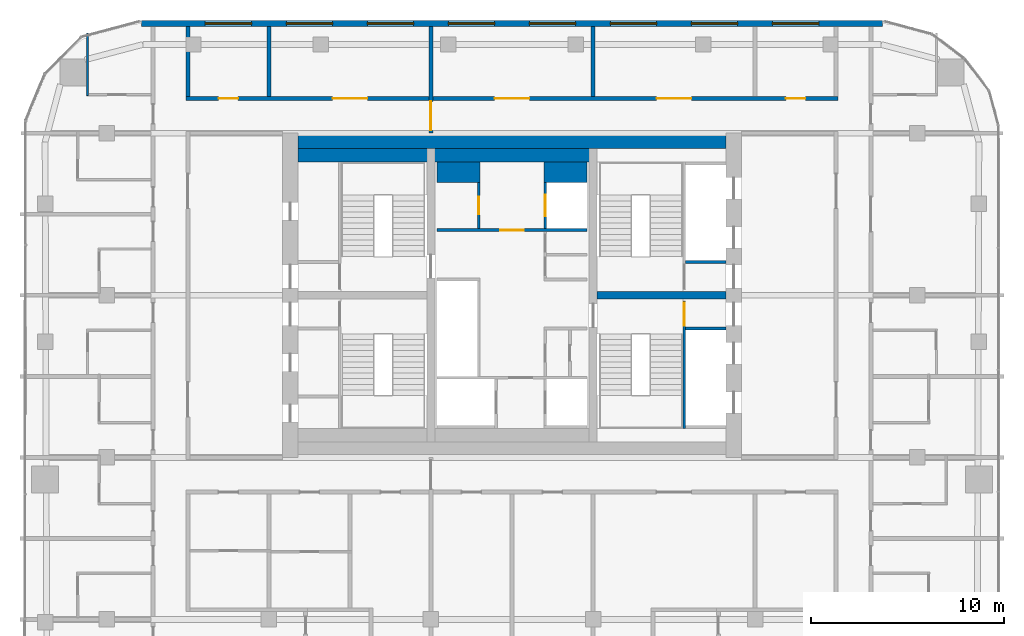
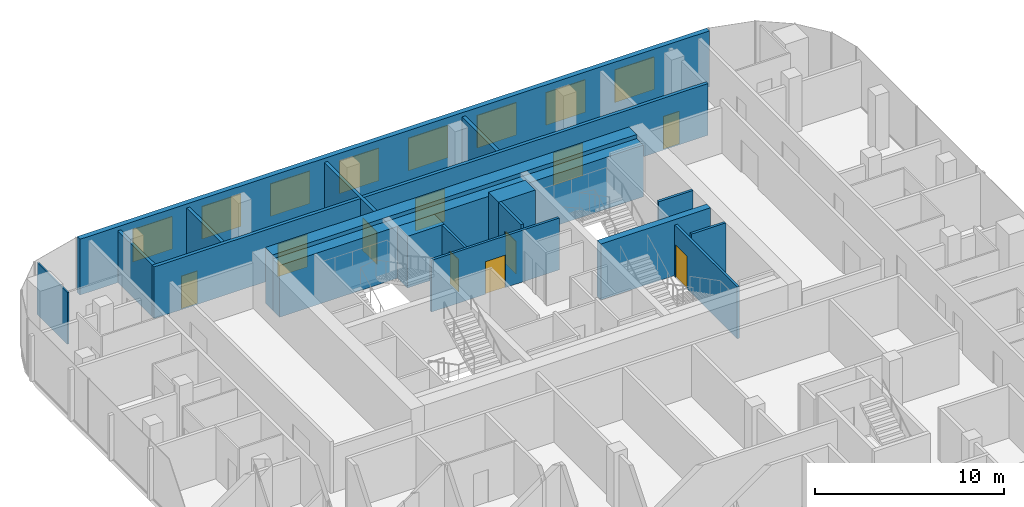
# One storey, part 19 of 22: 18 walls, 10 doors, 8 windows, 18 openings.
"""IFC4 building model written with IfcOpenShell, lengths in metres."""

from ifc_helpers import new_model, si_unit, direction, frame, frame_2d, origin, place, context, subcontext, project, spatial, rectangle, extrude, material, layer, layer_set, type_object, element, fill, save


model = new_model("IFC4")

# Units and contexts
model_context = context("Model", 3, precision=1e-05, world=origin(), true_north=direction((0.0, 1.0)))
body_context = subcontext(model_context, "Body", "Model", "MODEL_VIEW")
ifc_project = project(units=[si_unit("LENGTHUNIT", "METRE"), si_unit("AREAUNIT", "SQUARE_METRE"), si_unit("VOLUMEUNIT", "CUBIC_METRE"), si_unit("PLANEANGLEUNIT", "RADIAN"), si_unit("MASSUNIT", "GRAM", prefix="KILO")], contexts=[model_context])

# Site, building, storey
site_placement = place(None, origin())
site = spatial("IfcSite", under=ifc_project, at=site_placement, CompositionType="ELEMENT")
building_placement = place(site_placement, origin())
building = spatial("IfcBuilding", under=site, at=building_placement, Name="Marenta Gate Hotel Tower", CompositionType="ELEMENT")
storey_placement = place(building_placement, frame((0.0, 0.0, 194.89990234375)))
storey = spatial("IfcBuildingStorey", under=building, at=storey_placement, Name="L44", CompositionType="ELEMENT", Elevation=194.89990234375)

# Wall, openings, windows
ifc_material_1 = material(Name="Concrete C40 board-marked", Category="concrete")
ifc_layer_1 = layer(ifc_material_1, 0.300048828125)
ifc_layer_set_1 = layer_set([ifc_layer_1], Name="Concrete C40 board-marked")
wall_type_1 = type_object("IfcWallType", Name="Board-marked concrete wall 300 mm", PredefinedType="NOTDEFINED", material=ifc_layer_set_1)
wall_1_placement = place(storey_placement, frame((19.205810546875, 22.489990234375, 0.0), z_axis=(0.0, 0.0, 1.0), x_axis=(-1.0, 0.0, 0.0)))
wall_1 = element("IfcWall", 1, at=wall_1_placement, inside=storey, type_object=wall_type_1, Name="L44-CLD-N00", PredefinedType="NOTDEFINED", context=body_context, shape_type="SweptSolid", body=[
    extrude(rectangle(XDim=38.41162109375, YDim=0.300048828125, at=frame_2d((19.205810546875, 0.0))), origin(), (0.0, 0.0, 1.0), 3.60009765625),
])
opening_1_placement = place(wall_1_placement, frame((3.305908203125, 0.0, 0.89990234375)))
opening_1 = element("IfcOpeningElement", 2, at=opening_1_placement, cuts=wall_1, Name="Opening W1", PredefinedType="OPENING", context=body_context, shape_type="SweptSolid", body=[
    extrude(rectangle(XDim=2.39990234375, YDim=2.10009765625, at=frame_2d((1.199951171875, 1.050048828125))), frame((0.0, 0.14990234375, 0.0), z_axis=(0.0, -1.0, 0.0), x_axis=(1.0, 0.0, 0.0)), (0.0, 0.0, 1.0), 0.300048828125),
])
opening_2_placement = place(wall_1_placement, frame((7.505859375, 0.0, 0.89990234375)))
opening_2 = element("IfcOpeningElement", 3, at=opening_2_placement, cuts=wall_1, Name="Opening W1", PredefinedType="OPENING", context=body_context, shape_type="SweptSolid", body=[
    extrude(rectangle(XDim=2.39990234375, YDim=2.10009765625, at=frame_2d((1.199951171875, 1.050048828125))), frame((0.0, 0.14990234375, 0.0), z_axis=(0.0, -1.0, 0.0), x_axis=(1.0, 0.0, 0.0)), (0.0, 0.0, 1.0), 0.300048828125),
])
opening_3_placement = place(wall_1_placement, frame((11.705810546875, 0.0, 0.89990234375)))
opening_3 = element("IfcOpeningElement", 4, at=opening_3_placement, cuts=wall_1, Name="Opening W1", PredefinedType="OPENING", context=body_context, shape_type="SweptSolid", body=[
    extrude(rectangle(XDim=2.39990234375, YDim=2.10009765625, at=frame_2d((1.199951171875, 1.050048828125))), frame((0.0, 0.14990234375, 0.0), z_axis=(0.0, -1.0, 0.0), x_axis=(1.0, 0.0, 0.0)), (0.0, 0.0, 1.0), 0.300048828125),
])
opening_4_placement = place(wall_1_placement, frame((15.906005859375, 0.0, 0.89990234375)))
opening_4 = element("IfcOpeningElement", 5, at=opening_4_placement, cuts=wall_1, Name="Opening W1", PredefinedType="OPENING", context=body_context, shape_type="SweptSolid", body=[
    extrude(rectangle(XDim=2.39990234375, YDim=2.10009765625, at=frame_2d((1.199951171875, 1.050048828125))), frame((0.0, 0.14990234375, 0.0), z_axis=(0.0, -1.0, 0.0), x_axis=(1.0, 0.0, 0.0)), (0.0, 0.0, 1.0), 0.300048828125),
])
opening_5_placement = place(wall_1_placement, frame((20.10595703125, 0.0, 0.89990234375)))
opening_5 = element("IfcOpeningElement", 6, at=opening_5_placement, cuts=wall_1, Name="Opening W1", PredefinedType="OPENING", context=body_context, shape_type="SweptSolid", body=[
    extrude(rectangle(XDim=2.39990234375, YDim=2.10009765625, at=frame_2d((1.199951171875, 1.050048828125))), frame((0.0, 0.14990234375, 0.0), z_axis=(0.0, -1.0, 0.0), x_axis=(1.0, 0.0, 0.0)), (0.0, 0.0, 1.0), 0.300048828125),
])
opening_6_placement = place(wall_1_placement, frame((24.305908203125, 0.0, 0.89990234375)))
opening_6 = element("IfcOpeningElement", 7, at=opening_6_placement, cuts=wall_1, Name="Opening W1", PredefinedType="OPENING", context=body_context, shape_type="SweptSolid", body=[
    extrude(rectangle(XDim=2.39990234375, YDim=2.10009765625, at=frame_2d((1.199951171875, 1.050048828125))), frame((0.0, 0.14990234375, 0.0), z_axis=(0.0, -1.0, 0.0), x_axis=(1.0, 0.0, 0.0)), (0.0, 0.0, 1.0), 0.300048828125),
])
opening_7_placement = place(wall_1_placement, frame((28.505859375, 0.0, 0.89990234375)))
opening_7 = element("IfcOpeningElement", 8, at=opening_7_placement, cuts=wall_1, Name="Opening W1", PredefinedType="OPENING", context=body_context, shape_type="SweptSolid", body=[
    extrude(rectangle(XDim=2.39990234375, YDim=2.10009765625, at=frame_2d((1.199951171875, 1.050048828125))), frame((0.0, 0.14990234375, 0.0), z_axis=(0.0, -1.0, 0.0), x_axis=(1.0, 0.0, 0.0)), (0.0, 0.0, 1.0), 0.300048828125),
])
opening_8_placement = place(wall_1_placement, frame((32.705810546875, 0.0, 0.89990234375)))
opening_8 = element("IfcOpeningElement", 9, at=opening_8_placement, cuts=wall_1, Name="Opening W1", PredefinedType="OPENING", context=body_context, shape_type="SweptSolid", body=[
    extrude(rectangle(XDim=2.39990234375, YDim=2.10009765625, at=frame_2d((1.199951171875, 1.050048828125))), frame((0.0, 0.14990234375, 0.0), z_axis=(0.0, -1.0, 0.0), x_axis=(1.0, 0.0, 0.0)), (0.0, 0.0, 1.0), 0.300048828125),
])
ifc_material_2 = material(Name="Tinted insulated glass in bronze anodised frame", Category="glass")
window_type = type_object("IfcWindowType", Name="Window W1 2400x2100 bronze frame", PartitioningType="SINGLE_PANEL", PredefinedType="WINDOW", material=ifc_material_2)
window_1_placement = place(opening_1_placement, origin())
window_1 = element("IfcWindow", 10, at=window_1_placement, inside=storey, type_object=window_type, Name="Window W1", OverallHeight=2.10009765625, OverallWidth=2.39990234375, PartitioningType="SINGLE_PANEL", PredefinedType="WINDOW", context=body_context, shape_type="SweptSolid", body=[
    extrude(rectangle(XDim=2.39990234375, YDim=2.10009765625, at=frame_2d((1.199951171875, 1.050048828125))), frame((0.0, 0.030029296875, 0.0), z_axis=(0.0, -1.0, 0.0), x_axis=(1.0, 0.0, 0.0)), (0.0, 0.0, 1.0), 0.06005859375),
])
fill(opening_1, window_1)
window_2_placement = place(opening_2_placement, origin())
window_2 = element("IfcWindow", 11, at=window_2_placement, inside=storey, type_object=window_type, Name="Window W1", OverallHeight=2.10009765625, OverallWidth=2.39990234375, PartitioningType="SINGLE_PANEL", PredefinedType="WINDOW", context=body_context, shape_type="SweptSolid", body=[
    extrude(rectangle(XDim=2.39990234375, YDim=2.10009765625, at=frame_2d((1.199951171875, 1.050048828125))), frame((0.0, 0.030029296875, 0.0), z_axis=(0.0, -1.0, 0.0), x_axis=(1.0, 0.0, 0.0)), (0.0, 0.0, 1.0), 0.06005859375),
])
fill(opening_2, window_2)
window_3_placement = place(opening_3_placement, origin())
window_3 = element("IfcWindow", 12, at=window_3_placement, inside=storey, type_object=window_type, Name="Window W1", OverallHeight=2.10009765625, OverallWidth=2.39990234375, PartitioningType="SINGLE_PANEL", PredefinedType="WINDOW", context=body_context, shape_type="SweptSolid", body=[
    extrude(rectangle(XDim=2.39990234375, YDim=2.10009765625, at=frame_2d((1.199951171875, 1.050048828125))), frame((0.0, 0.030029296875, 0.0), z_axis=(0.0, -1.0, 0.0), x_axis=(1.0, 0.0, 0.0)), (0.0, 0.0, 1.0), 0.06005859375),
])
fill(opening_3, window_3)
window_4_placement = place(opening_4_placement, origin())
window_4 = element("IfcWindow", 13, at=window_4_placement, inside=storey, type_object=window_type, Name="Window W1", OverallHeight=2.10009765625, OverallWidth=2.39990234375, PartitioningType="SINGLE_PANEL", PredefinedType="WINDOW", context=body_context, shape_type="SweptSolid", body=[
    extrude(rectangle(XDim=2.39990234375, YDim=2.10009765625, at=frame_2d((1.199951171875, 1.050048828125))), frame((0.0, 0.030029296875, 0.0), z_axis=(0.0, -1.0, 0.0), x_axis=(1.0, 0.0, 0.0)), (0.0, 0.0, 1.0), 0.06005859375),
])
fill(opening_4, window_4)
window_5_placement = place(opening_5_placement, origin())
window_5 = element("IfcWindow", 14, at=window_5_placement, inside=storey, type_object=window_type, Name="Window W1", OverallHeight=2.10009765625, OverallWidth=2.39990234375, PartitioningType="SINGLE_PANEL", PredefinedType="WINDOW", context=body_context, shape_type="SweptSolid", body=[
    extrude(rectangle(XDim=2.39990234375, YDim=2.10009765625, at=frame_2d((1.199951171875, 1.050048828125))), frame((0.0, 0.030029296875, 0.0), z_axis=(0.0, -1.0, 0.0), x_axis=(1.0, 0.0, 0.0)), (0.0, 0.0, 1.0), 0.06005859375),
])
fill(opening_5, window_5)
window_6_placement = place(opening_6_placement, origin())
window_6 = element("IfcWindow", 15, at=window_6_placement, inside=storey, type_object=window_type, Name="Window W1", OverallHeight=2.10009765625, OverallWidth=2.39990234375, PartitioningType="SINGLE_PANEL", PredefinedType="WINDOW", context=body_context, shape_type="SweptSolid", body=[
    extrude(rectangle(XDim=2.39990234375, YDim=2.10009765625, at=frame_2d((1.199951171875, 1.050048828125))), frame((0.0, 0.030029296875, 0.0), z_axis=(0.0, -1.0, 0.0), x_axis=(1.0, 0.0, 0.0)), (0.0, 0.0, 1.0), 0.06005859375),
])
fill(opening_6, window_6)
window_7_placement = place(opening_7_placement, origin())
window_7 = element("IfcWindow", 16, at=window_7_placement, inside=storey, type_object=window_type, Name="Window W1", OverallHeight=2.10009765625, OverallWidth=2.39990234375, PartitioningType="SINGLE_PANEL", PredefinedType="WINDOW", context=body_context, shape_type="SweptSolid", body=[
    extrude(rectangle(XDim=2.39990234375, YDim=2.10009765625, at=frame_2d((1.199951171875, 1.050048828125))), frame((0.0, 0.030029296875, 0.0), z_axis=(0.0, -1.0, 0.0), x_axis=(1.0, 0.0, 0.0)), (0.0, 0.0, 1.0), 0.06005859375),
])
fill(opening_7, window_7)
window_8_placement = place(opening_8_placement, origin())
window_8 = element("IfcWindow", 17, at=window_8_placement, inside=storey, type_object=window_type, Name="Window W1", OverallHeight=2.10009765625, OverallWidth=2.39990234375, PartitioningType="SINGLE_PANEL", PredefinedType="WINDOW", context=body_context, shape_type="SweptSolid", body=[
    extrude(rectangle(XDim=2.39990234375, YDim=2.10009765625, at=frame_2d((1.199951171875, 1.050048828125))), frame((0.0, 0.030029296875, 0.0), z_axis=(0.0, -1.0, 0.0), x_axis=(1.0, 0.0, 0.0)), (0.0, 0.0, 1.0), 0.06005859375),
])
fill(opening_8, window_8)

# Wall, opening, door
ifc_material_3 = material(Name="Concrete blockwork", Category="masonry")
ifc_layer_2 = layer(ifc_material_3, 0.199951171875)
ifc_layer_set_2 = layer_set([ifc_layer_2], Name="Concrete blockwork")
wall_type_2 = type_object("IfcWallType", Name="Compartment wall 200 REI 180", PredefinedType="PARTITIONING", material=ifc_layer_set_2)
wall_2_placement = place(storey_placement, frame((-4.199951171875, 16.800048828125, 0.0), z_axis=(0.0, 0.0, 1.0), x_axis=(0.0, 1.0, 0.0)))
wall_2 = element("IfcWall", 18, at=wall_2_placement, inside=storey, type_object=wall_type_2, Name="L44-PTN-W082", PredefinedType="PARTITIONING", context=body_context, shape_type="SweptSolid", body=[
    extrude(rectangle(XDim=5.5400390625, YDim=0.199951171875, at=frame_2d((2.77001953125, 0.0))), origin(), (0.0, 0.0, 1.0), 3.340087890625),
])
opening_9_placement = place(wall_2_placement, frame((0.14990234375, 0.0, 0.0)))
opening_9 = element("IfcOpeningElement", 19, at=opening_9_placement, cuts=wall_2, Name="Opening G15-FD1", PredefinedType="OPENING", context=body_context, shape_type="SweptSolid", body=[
    extrude(rectangle(XDim=1.5, YDim=2.10009765625, at=frame_2d((0.75, 1.050048828125))), frame((0.0, 0.10009765625, 0.0), z_axis=(0.0, -1.0, 0.0), x_axis=(1.0, 0.0, 0.0)), (0.0, 0.0, 1.0), 0.199951171875),
])
ifc_material_4 = material(Name="Hollow steel door set", Category="steel")
door_type_1 = type_object("IfcDoorType", Name="Compartment fire door 1500x2100 EI 60", OperationType="DOUBLE_DOOR_DOUBLE_SWING", PredefinedType="DOOR", material=ifc_material_4)
door_1_placement = place(opening_9_placement, origin())
door_1 = element("IfcDoor", 20, at=door_1_placement, inside=storey, type_object=door_type_1, Name="L44-PD-FD01", OperationType="DOUBLE_DOOR_DOUBLE_SWING", OverallHeight=2.10009765625, OverallWidth=1.5, PredefinedType="DOOR", context=body_context, shape_type="SweptSolid", body=[
    extrude(rectangle(XDim=1.5, YDim=2.10009765625, at=frame_2d((0.75, 1.050048828125))), frame((0.0, 0.02490234375, 0.0), z_axis=(0.0, -1.0, 0.0), x_axis=(1.0, 0.0, 0.0)), (0.0, 0.0, 1.0), 0.050048828125),
])
fill(opening_9, door_1)

# Wall
ifc_material_5 = material(Name="Concrete C40", Category="concrete")
ifc_layer_3 = layer(ifc_material_5, 0.699951171875)
ifc_layer_set_3 = layer_set([ifc_layer_3], Name="Concrete C40")
wall_type_3 = type_object("IfcWallType", Name="Core lining wall 700 REI 180", PredefinedType="PARTITIONING", material=ifc_layer_set_3)
wall_3_placement = place(storey_placement, frame((-11.10009765625, 15.64990234375, 0.0), z_axis=(0.0, 0.0, 1.0), x_axis=(1.0, 0.0, 0.0)))
element("IfcWall", 21, at=wall_3_placement, inside=storey, type_object=wall_type_3, Name="L44-CP-LN-N", PredefinedType="PARTITIONING", context=body_context, shape_type="SweptSolid", body=[
    extrude(rectangle(XDim=22.2001953125, YDim=0.699951171875, at=frame_2d((11.10009765625, 0.0))), origin(), (0.0, 0.0, 1.0), 3.340087890625),
])

# Wall, opening, door
ifc_material_6 = material(Name="Concrete blockwork", Category="masonry")
ifc_layer_4 = layer(ifc_material_6, 0.14990234375)
ifc_layer_set_4 = layer_set([ifc_layer_4], Name="Concrete blockwork")
wall_type_4 = type_object("IfcWallType", Name="Core lobby partition 150 REI 180", PredefinedType="PARTITIONING", material=ifc_layer_set_4)
wall_4_placement = place(storey_placement, frame((-3.89990234375, 11.77490234375, 0.0), z_axis=(0.0, 0.0, 1.0), x_axis=(1.0, 0.0, 0.0)))
wall_4 = element("IfcWall", 22, at=wall_4_placement, inside=storey, type_object=wall_type_4, Name="L44-CP-CW-N", PredefinedType="PARTITIONING", context=body_context, shape_type="SweptSolid", body=[
    extrude(rectangle(XDim=7.7998046875, YDim=0.14990234375, at=frame_2d((3.89990234375, 0.0))), origin(), (0.0, 0.0, 1.0), 3.340087890625),
])
opening_10_placement = place(wall_4_placement, frame((3.300048828125, 0.0, 0.0)))
opening_10 = element("IfcOpeningElement", 23, at=opening_10_placement, cuts=wall_4, Name="Opening FD-FFN", PredefinedType="OPENING", context=body_context, shape_type="SweptSolid", body=[
    extrude(rectangle(XDim=1.199951171875, YDim=2.10009765625, at=frame_2d((0.60009765625, 1.050048828125))), frame((0.0, 0.074951171875, 0.0), z_axis=(0.0, -1.0, 0.0), x_axis=(1.0, 0.0, 0.0)), (0.0, 0.0, 1.0), 0.14990234375),
])
ifc_material_7 = material(Name="Steel", Category="steel")
door_type_2 = type_object("IfcDoorType", Name="Core lobby door 1200x2100 FD60", OperationType="SINGLE_SWING_LEFT", PredefinedType="DOOR", material=ifc_material_7)
door_2_placement = place(opening_10_placement, origin())
door_2 = element("IfcDoor", 24, at=door_2_placement, inside=storey, type_object=door_type_2, Name="FD-FFN", OperationType="SINGLE_SWING_LEFT", OverallHeight=2.10009765625, OverallWidth=1.199951171875, PredefinedType="DOOR", context=body_context, shape_type="SweptSolid", body=[
    extrude(rectangle(XDim=1.199951171875, YDim=2.10009765625, at=frame_2d((0.60009765625, 1.050048828125))), frame((0.0, 0.02490234375, 0.0), z_axis=(0.0, -1.0, 0.0), x_axis=(1.0, 0.0, 0.0)), (0.0, 0.0, 1.0), 0.050048828125),
])
fill(opening_10, door_2)

# Wall
ifc_material_8 = material(Name="Concrete blockwork", Category="masonry")
ifc_layer_5 = layer(ifc_material_8, 1.050048828125)
ifc_layer_set_5 = layer_set([ifc_layer_5], Name="Concrete blockwork")
wall_type_5 = type_object("IfcWallType", Name="Core room partition 1050 REI 180", PredefinedType="PARTITIONING", material=ifc_layer_set_5)
wall_5_placement = place(storey_placement, frame((-3.89990234375, 14.77490234375, 0.0), z_axis=(0.0, 0.0, 1.0), x_axis=(1.0, 0.0, 0.0)))
element("IfcWall", 25, at=wall_5_placement, inside=storey, type_object=wall_type_5, Name="L44-CP-CW-W-riser-N", PredefinedType="PARTITIONING", context=body_context, shape_type="SweptSolid", body=[
    extrude(rectangle(XDim=2.25, YDim=1.050048828125, at=frame_2d((1.125, 0.0))), origin(), (0.0, 0.0, 1.0), 3.340087890625),
])

# Wall, opening, door
ifc_material_9 = material(Name="Concrete blockwork", Category="masonry")
ifc_layer_6 = layer(ifc_material_9, 0.14990234375)
ifc_layer_set_6 = layer_set([ifc_layer_6], Name="Concrete blockwork")
wall_type_6 = type_object("IfcWallType", Name="Core room partition 150 REI 180", PredefinedType="PARTITIONING", material=ifc_layer_set_6)
wall_6_placement = place(storey_placement, frame((-1.72509765625, 11.85009765625, 0.0), z_axis=(0.0, 0.0, 1.0), x_axis=(0.0, 1.0, 0.0)))
wall_6 = element("IfcWall", 26, at=wall_6_placement, inside=storey, type_object=wall_type_6, Name="L44-CP-CW-W-riser-front", PredefinedType="PARTITIONING", context=body_context, shape_type="SweptSolid", body=[
    extrude(rectangle(XDim=2.39990234375, YDim=0.14990234375, at=frame_2d((1.199951171875, 0.0))), origin(), (0.0, 0.0, 1.0), 3.340087890625),
])
opening_11_placement = place(wall_6_placement, frame((0.75, 0.0, 0.0)))
opening_11 = element("IfcOpeningElement", 27, at=opening_11_placement, cuts=wall_6, Name="Opening RD-CRISER", PredefinedType="OPENING", context=body_context, shape_type="SweptSolid", body=[
    extrude(rectangle(XDim=0.89990234375, YDim=2.10009765625, at=frame_2d((0.449951171875, 1.050048828125))), frame((0.0, 0.074951171875, 0.0), z_axis=(0.0, -1.0, 0.0), x_axis=(1.0, 0.0, 0.0)), (0.0, 0.0, 1.0), 0.14990234375),
])
ifc_material_10 = material(Name="Steel", Category="steel")
door_type_3 = type_object("IfcDoorType", Name="Core riser door 900x2100 FD60", OperationType="SINGLE_SWING_LEFT", PredefinedType="DOOR", material=ifc_material_10)
door_3_placement = place(opening_11_placement, origin())
door_3 = element("IfcDoor", 28, at=door_3_placement, inside=storey, type_object=door_type_3, Name="RD-CRISER", OperationType="SINGLE_SWING_LEFT", OverallHeight=2.10009765625, OverallWidth=0.89990234375, PredefinedType="DOOR", context=body_context, shape_type="SweptSolid", body=[
    extrude(rectangle(XDim=0.89990234375, YDim=2.10009765625, at=frame_2d((0.449951171875, 1.050048828125))), frame((0.0, 0.02490234375, 0.0), z_axis=(0.0, -1.0, 0.0), x_axis=(1.0, 0.0, 0.0)), (0.0, 0.0, 1.0), 0.050048828125),
])
fill(opening_11, door_3)

# Walls
ifc_material_11 = material(Name="Concrete C40", Category="concrete")
ifc_layer_7 = layer(ifc_material_11, 1.050048828125)
ifc_layer_set_7 = layer_set([ifc_layer_7], Name="Concrete C40")
wall_type_7 = type_object("IfcWallType", Name="Core shaft wall 1050 REI 180", PredefinedType="SHEAR", material=ifc_layer_set_7)
wall_7_placement = place(storey_placement, frame((1.64990234375, 14.77490234375, 0.0), z_axis=(0.0, 0.0, 1.0), x_axis=(1.0, 0.0, 0.0)))
element("IfcWall", 29, at=wall_7_placement, inside=storey, type_object=wall_type_7, Name="L44-SHF-CE-N-top", PredefinedType="SHEAR", context=body_context, shape_type="SweptSolid", body=[
    extrude(rectangle(XDim=2.25, YDim=1.050048828125, at=frame_2d((1.125, 0.0))), origin(), (0.0, 0.0, 1.0), 3.60009765625),
])
ifc_material_12 = material(Name="Concrete C40", Category="concrete")
ifc_layer_8 = layer(ifc_material_12, 0.14990234375)
ifc_layer_set_8 = layer_set([ifc_layer_8], Name="Concrete C40")
wall_type_8 = type_object("IfcWallType", Name="Core shaft wall 150 REI 180", PredefinedType="SHEAR", material=ifc_layer_set_8)
for number, where, z_axis, x_axis, name in (
    (30, (9.0, 6.675048828125, 0.0), (0.0, 0.0, 1.0), (1.0, 0.0, 0.0), "L44-SHF-SW-ES-2"),
    (31, (9.0, 10.125, 0.0), (0.0, 0.0, 1.0), (1.0, 0.0, 0.0), "L44-SHF-SW-EN-2"),
):
    element("IfcWall", number, at=place(storey_placement, frame(where, z_axis=z_axis, x_axis=x_axis)), inside=storey, type_object=wall_type_8, Name=name, PredefinedType="SHEAR", context=body_context, shape_type="SweptSolid", body=[
        extrude(rectangle(XDim=2.10009765625, YDim=0.14990234375, at=frame_2d((1.050048828125, 0.0))), origin(), (0.0, 0.0, 1.0), 3.60009765625),
    ])

# Wall, opening, door
wall_8_placement = place(storey_placement, frame((1.72509765625, 11.85009765625, 0.0), z_axis=(0.0, 0.0, 1.0), x_axis=(0.0, 1.0, 0.0)))
wall_8 = element("IfcWall", 32, at=wall_8_placement, inside=storey, type_object=wall_type_8, Name="L44-SHF-CE-N-front2", PredefinedType="SHEAR", context=body_context, shape_type="SweptSolid", body=[
    extrude(rectangle(XDim=2.39990234375, YDim=0.14990234375, at=frame_2d((1.199951171875, 0.0))), origin(), (0.0, 0.0, 1.0), 3.60009765625),
])
opening_12_placement = place(wall_8_placement, frame((0.64990234375, 0.0, 0.0)))
opening_12 = element("IfcOpeningElement", 33, at=opening_12_placement, cuts=wall_8, Name="Opening LD-FF2", PredefinedType="OPENING", context=body_context, shape_type="SweptSolid", body=[
    extrude(rectangle(XDim=1.10009765625, YDim=2.10009765625, at=frame_2d((0.550048828125, 1.050048828125))), frame((0.0, 0.074951171875, 0.0), z_axis=(0.0, -1.0, 0.0), x_axis=(1.0, 0.0, 0.0)), (0.0, 0.0, 1.0), 0.14990234375),
])
ifc_material_13 = material(Name="Steel", Category="steel")
door_type_4 = type_object("IfcDoorType", Name="Core lift landing door 1100x2100 E 60", OperationType="SLIDING_TO_LEFT", PredefinedType="DOOR", material=ifc_material_13)
door_4_placement = place(opening_12_placement, origin())
door_4 = element("IfcDoor", 34, at=door_4_placement, inside=storey, type_object=door_type_4, Name="LD-FF2", OperationType="SLIDING_TO_LEFT", OverallHeight=2.10009765625, OverallWidth=1.10009765625, PredefinedType="DOOR", context=body_context, shape_type="SweptSolid", body=[
    extrude(rectangle(XDim=1.10009765625, YDim=2.10009765625, at=frame_2d((0.550048828125, 1.050048828125))), frame((0.0, 0.02490234375, 0.0), z_axis=(0.0, -1.0, 0.0), x_axis=(1.0, 0.0, 0.0)), (0.0, 0.0, 1.0), 0.050048828125),
])
fill(opening_12, door_4)

ifc_material_14 = material(Name="Concrete C40", Category="concrete")
ifc_layer_9 = layer(ifc_material_14, 0.14990234375)
ifc_layer_set_9 = layer_set([ifc_layer_9], Name="Concrete C40")
wall_type_9 = type_object("IfcWallType", Name="Core stair enclosure wall 150 REI 180", PredefinedType="SHEAR", material=ifc_layer_set_9)
wall_9_placement = place(storey_placement, frame((8.925048828125, 1.5, 0.0), z_axis=(0.0, 0.0, 1.0), x_axis=(0.0, 1.0, 0.0)))
wall_9 = element("IfcWall", 35, at=wall_9_placement, inside=storey, type_object=wall_type_9, Name="L44-SHF-SW-ES-3", PredefinedType="SHEAR", context=body_context, shape_type="SweptSolid", body=[
    extrude(rectangle(XDim=6.60009765625, YDim=0.14990234375, at=frame_2d((3.300048828125, 0.0))), origin(), (0.0, 0.0, 1.0), 3.340087890625),
])
opening_13_placement = place(wall_9_placement, frame((5.324951171875, 0.0, 0.0)))
opening_13 = element("IfcOpeningElement", 36, at=opening_13_placement, cuts=wall_9, Name="Opening SD-ES", PredefinedType="OPENING", context=body_context, shape_type="SweptSolid", body=[
    extrude(rectangle(XDim=1.199951171875, YDim=2.10009765625, at=frame_2d((0.60009765625, 1.050048828125))), frame((0.0, 0.074951171875, 0.0), z_axis=(0.0, -1.0, 0.0), x_axis=(1.0, 0.0, 0.0)), (0.0, 0.0, 1.0), 0.14990234375),
])
ifc_material_15 = material(Name="Steel", Category="steel")
door_type_5 = type_object("IfcDoorType", Name="Core stair door 1200x2100 FD60", OperationType="SINGLE_SWING_LEFT", PredefinedType="DOOR", material=ifc_material_15)
door_5_placement = place(opening_13_placement, origin())
door_5 = element("IfcDoor", 37, at=door_5_placement, inside=storey, type_object=door_type_5, Name="SD-ES", OperationType="SINGLE_SWING_LEFT", OverallHeight=2.10009765625, OverallWidth=1.199951171875, PredefinedType="DOOR", context=body_context, shape_type="SweptSolid", body=[
    extrude(rectangle(XDim=1.199951171875, YDim=2.10009765625, at=frame_2d((0.60009765625, 1.050048828125))), frame((0.0, 0.02490234375, 0.0), z_axis=(0.0, -1.0, 0.0), x_axis=(1.0, 0.0, 0.0)), (0.0, 0.0, 1.0), 0.050048828125),
])
fill(opening_13, door_5)

# Walls
ifc_material_16 = material(Name="Concrete C60", Category="concrete")
ifc_layer_10 = layer(ifc_material_16, 0.800048828125)
ifc_layer_set_10 = layer_set([ifc_layer_10], Name="Concrete C60")
wall_type_10 = type_object("IfcWallType", Name="Core wall 800 C60", PredefinedType="SHEAR", material=ifc_layer_set_10)
wall_10_placement = place(storey_placement, frame((-11.10009765625, 16.39990234375, 0.0), z_axis=(0.0, 0.0, 1.0), x_axis=(1.0, 0.0, 0.0)))
element("IfcWall", 38, at=wall_10_placement, inside=storey, type_object=wall_type_10, Name="L44-CORE-N", PredefinedType="SHEAR", context=body_context, shape_type="SweptSolid", body=[
    extrude(rectangle(XDim=22.2001953125, YDim=0.800048828125, at=frame_2d((11.10009765625, 0.0))), origin(), (0.0, 0.0, 1.0), 3.60009765625),
])
ifc_material_17 = material(Name="Concrete C60", Category="concrete")
ifc_layer_11 = layer(ifc_material_17, 0.39990234375)
ifc_layer_set_11 = layer_set([ifc_layer_11], Name="Concrete C60")
wall_type_11 = type_object("IfcWallType", Name="Core web 400 C60", PredefinedType="SHEAR", material=ifc_layer_set_11)
wall_11_placement = place(storey_placement, frame((4.39990234375, 8.39990234375, 0.0), z_axis=(0.0, 0.0, 1.0), x_axis=(1.0, 0.0, 0.0)))
element("IfcWall", 39, at=wall_11_placement, inside=storey, type_object=wall_type_11, Name="L44-CORE-W4", PredefinedType="SHEAR", context=body_context, shape_type="SweptSolid", body=[
    extrude(rectangle(XDim=6.7001953125, YDim=0.39990234375, at=frame_2d((3.35009765625, 0.0))), origin(), (0.0, 0.0, 1.0), 3.60009765625),
])
ifc_material_18 = material(Name="Gypsum board on steel stud", Category="steel")
ifc_layer_12 = layer(ifc_material_18, 0.199951171875)
ifc_layer_set_12 = layer_set([ifc_layer_12], Name="Gypsum board on steel stud")
wall_type_12 = type_object("IfcWallType", Name="Room corridor wall 200 EI 60", PredefinedType="PARTITIONING", material=ifc_layer_set_12)
wall_12_placement = place(storey_placement, frame((-16.800048828125, 18.699951171875, 0.0), z_axis=(0.0, 0.0, 1.0), x_axis=(0.0, 1.0, 0.0)))
element("IfcWall", 40, at=wall_12_placement, inside=storey, type_object=wall_type_12, Name="L44-PTN-W109", PredefinedType="PARTITIONING", context=body_context, shape_type="SweptSolid", body=[
    extrude(rectangle(XDim=3.64013671875, YDim=0.199951171875, at=frame_2d((1.820068359375, 0.0))), origin(), (0.0, 0.0, 1.0), 3.340087890625),
])

# Wall, openings, doors
wall_13_placement = place(storey_placement, frame((-16.89990234375, 18.60009765625, 0.0), z_axis=(0.0, 0.0, 1.0), x_axis=(1.0, 0.0, 0.0)))
wall_13 = element("IfcWall", 41, at=wall_13_placement, inside=storey, type_object=wall_type_12, Name="L44-PTN-W113", PredefinedType="PARTITIONING", context=body_context, shape_type="SweptSolid", body=[
    extrude(rectangle(XDim=33.7998046875, YDim=0.199951171875, at=frame_2d((16.89990234375, 0.0))), origin(), (0.0, 0.0, 1.0), 3.340087890625),
])
opening_14_placement = place(wall_13_placement, frame((1.699951171875, 0.0, 0.0)))
opening_14 = element("IfcOpeningElement", 42, at=opening_14_placement, cuts=wall_13, Name="Opening G15-37", PredefinedType="OPENING", context=body_context, shape_type="SweptSolid", body=[
    extrude(rectangle(XDim=1.0, YDim=2.10009765625, at=frame_2d((0.5, 1.050048828125))), frame((0.0, 0.10009765625, 0.0), z_axis=(0.0, -1.0, 0.0), x_axis=(1.0, 0.0, 0.0)), (0.0, 0.0, 1.0), 0.199951171875),
])
opening_15_placement = place(wall_13_placement, frame((7.60009765625, 0.0, 0.0)))
opening_15 = element("IfcOpeningElement", 43, at=opening_15_placement, cuts=wall_13, Name="Opening G15-38", PredefinedType="OPENING", context=body_context, shape_type="SweptSolid", body=[
    extrude(rectangle(XDim=1.800048828125, YDim=2.10009765625, at=frame_2d((0.89990234375, 1.050048828125))), frame((0.0, 0.10009765625, 0.0), z_axis=(0.0, -1.0, 0.0), x_axis=(1.0, 0.0, 0.0)), (0.0, 0.0, 1.0), 0.199951171875),
])
opening_16_placement = place(wall_13_placement, frame((16.0, 0.0, 0.0)))
opening_16 = element("IfcOpeningElement", 44, at=opening_16_placement, cuts=wall_13, Name="Opening G15-39", PredefinedType="OPENING", context=body_context, shape_type="SweptSolid", body=[
    extrude(rectangle(XDim=1.800048828125, YDim=2.10009765625, at=frame_2d((0.89990234375, 1.050048828125))), frame((0.0, 0.10009765625, 0.0), z_axis=(0.0, -1.0, 0.0), x_axis=(1.0, 0.0, 0.0)), (0.0, 0.0, 1.0), 0.199951171875),
])
opening_17_placement = place(wall_13_placement, frame((24.39990234375, 0.0, 0.0)))
opening_17 = element("IfcOpeningElement", 45, at=opening_17_placement, cuts=wall_13, Name="Opening G15-40", PredefinedType="OPENING", context=body_context, shape_type="SweptSolid", body=[
    extrude(rectangle(XDim=1.800048828125, YDim=2.10009765625, at=frame_2d((0.89990234375, 1.050048828125))), frame((0.0, 0.10009765625, 0.0), z_axis=(0.0, -1.0, 0.0), x_axis=(1.0, 0.0, 0.0)), (0.0, 0.0, 1.0), 0.199951171875),
])
opening_18_placement = place(wall_13_placement, frame((31.10009765625, 0.0, 0.0)))
opening_18 = element("IfcOpeningElement", 46, at=opening_18_placement, cuts=wall_13, Name="Opening G15-41", PredefinedType="OPENING", context=body_context, shape_type="SweptSolid", body=[
    extrude(rectangle(XDim=1.0, YDim=2.10009765625, at=frame_2d((0.5, 1.050048828125))), frame((0.0, 0.10009765625, 0.0), z_axis=(0.0, -1.0, 0.0), x_axis=(1.0, 0.0, 0.0)), (0.0, 0.0, 1.0), 0.199951171875),
])
ifc_material_19 = material(Name="Timber door leaf", Category="wood")
door_type_6 = type_object("IfcDoorType", Name="Room amenity door 1000x2100 EI 30", OperationType="NOTDEFINED", PredefinedType="DOOR", material=ifc_material_19)
door_6_placement = place(opening_14_placement, origin())
door_6 = element("IfcDoor", 47, at=door_6_placement, inside=storey, type_object=door_type_6, Name="L44-PD-D037", OperationType="SINGLE_SWING_LEFT", OverallHeight=2.10009765625, OverallWidth=1.0, PredefinedType="DOOR", context=body_context, shape_type="SweptSolid", body=[
    extrude(rectangle(XDim=1.0, YDim=2.10009765625, at=frame_2d((0.5, 1.050048828125))), frame((0.0, 0.02490234375, 0.0), z_axis=(0.0, -1.0, 0.0), x_axis=(1.0, 0.0, 0.0)), (0.0, 0.0, 1.0), 0.050048828125),
])
fill(opening_14, door_6)
door_7_placement = place(opening_18_placement, origin())
door_7 = element("IfcDoor", 48, at=door_7_placement, inside=storey, type_object=door_type_6, Name="L44-PD-D041", OperationType="SINGLE_SWING_LEFT", OverallHeight=2.10009765625, OverallWidth=1.0, PredefinedType="DOOR", context=body_context, shape_type="SweptSolid", body=[
    extrude(rectangle(XDim=1.0, YDim=2.10009765625, at=frame_2d((0.5, 1.050048828125))), frame((0.0, 0.02490234375, 0.0), z_axis=(0.0, -1.0, 0.0), x_axis=(1.0, 0.0, 0.0)), (0.0, 0.0, 1.0), 0.050048828125),
])
fill(opening_18, door_7)
ifc_material_20 = material(Name="Timber door leaf", Category="wood")
door_type_7 = type_object("IfcDoorType", Name="Room amenity door 1800x2100 EI 30", OperationType="DOUBLE_DOOR_SINGLE_SWING", PredefinedType="DOOR", material=ifc_material_20)
door_8_placement = place(opening_15_placement, origin())
door_8 = element("IfcDoor", 49, at=door_8_placement, inside=storey, type_object=door_type_7, Name="L44-PD-D038", OperationType="DOUBLE_DOOR_SINGLE_SWING", OverallHeight=2.10009765625, OverallWidth=1.800048828125, PredefinedType="DOOR", context=body_context, shape_type="SweptSolid", body=[
    extrude(rectangle(XDim=1.800048828125, YDim=2.10009765625, at=frame_2d((0.89990234375, 1.050048828125))), frame((0.0, 0.02490234375, 0.0), z_axis=(0.0, -1.0, 0.0), x_axis=(1.0, 0.0, 0.0)), (0.0, 0.0, 1.0), 0.050048828125),
])
fill(opening_15, door_8)
door_9_placement = place(opening_16_placement, origin())
door_9 = element("IfcDoor", 50, at=door_9_placement, inside=storey, type_object=door_type_7, Name="L44-PD-D039", OperationType="DOUBLE_DOOR_SINGLE_SWING", OverallHeight=2.10009765625, OverallWidth=1.800048828125, PredefinedType="DOOR", context=body_context, shape_type="SweptSolid", body=[
    extrude(rectangle(XDim=1.800048828125, YDim=2.10009765625, at=frame_2d((0.89990234375, 1.050048828125))), frame((0.0, 0.02490234375, 0.0), z_axis=(0.0, -1.0, 0.0), x_axis=(1.0, 0.0, 0.0)), (0.0, 0.0, 1.0), 0.050048828125),
])
fill(opening_16, door_9)
door_10_placement = place(opening_17_placement, origin())
door_10 = element("IfcDoor", 51, at=door_10_placement, inside=storey, type_object=door_type_7, Name="L44-PD-D040", OperationType="DOUBLE_DOOR_SINGLE_SWING", OverallHeight=2.10009765625, OverallWidth=1.800048828125, PredefinedType="DOOR", context=body_context, shape_type="SweptSolid", body=[
    extrude(rectangle(XDim=1.800048828125, YDim=2.10009765625, at=frame_2d((0.89990234375, 1.050048828125))), frame((0.0, 0.02490234375, 0.0), z_axis=(0.0, -1.0, 0.0), x_axis=(1.0, 0.0, 0.0)), (0.0, 0.0, 1.0), 0.050048828125),
])
fill(opening_17, door_10)

# Walls
ifc_material_21 = material(Name="Gypsum board on steel stud", Category="steel")
ifc_layer_13 = layer(ifc_material_21, 0.10009765625)
ifc_layer_set_13 = layer_set([ifc_layer_13], Name="Gypsum board on steel stud")
wall_type_13 = type_object("IfcWallType", Name="Room partition 100", PredefinedType="PARTITIONING", material=ifc_layer_set_13)
wall_14_placement = place(storey_placement, frame((-22.0, 18.75, 0.0), z_axis=(0.0, 0.0, 1.0), x_axis=(0.0, 1.0, 0.0)))
element("IfcWall", 52, at=wall_14_placement, inside=storey, type_object=wall_type_13, Name="L44-PTN-W122", PredefinedType="PARTITIONING", context=body_context, shape_type="SweptSolid", body=[
    extrude(rectangle(XDim=3.22900390625, YDim=0.10009765625, at=frame_2d((1.614501953125, 0.0))), origin(), (0.0, 0.0, 1.0), 3.340087890625),
])
ifc_material_22 = material(Name="Gypsum board on steel stud", Category="steel")
ifc_layer_14 = layer(ifc_material_22, 0.199951171875)
ifc_layer_set_14 = layer_set([ifc_layer_14], Name="Gypsum board on steel stud")
wall_type_14 = type_object("IfcWallType", Name="Room party wall 200 EI 60", PredefinedType="PARTITIONING", material=ifc_layer_set_14)
for number, where, z_axis, x_axis, name in (
    (53, (4.199951171875, 18.699951171875, 0.0), (0.0, 0.0, 1.0), (0.0, 1.0, 0.0), "L44-PTN-W067"),
    (54, (-12.60009765625, 18.699951171875, 0.0), (0.0, 0.0, 1.0), (0.0, 1.0, 0.0), "L44-PTN-W101"),
):
    element("IfcWall", number, at=place(storey_placement, frame(where, z_axis=z_axis, x_axis=x_axis)), inside=storey, type_object=wall_type_14, Name=name, PredefinedType="PARTITIONING", context=body_context, shape_type="SweptSolid", body=[
        extrude(rectangle(XDim=3.64013671875, YDim=0.199951171875, at=frame_2d((1.820068359375, 0.0))), origin(), (0.0, 0.0, 1.0), 3.340087890625),
    ])

save(model, "model.ifc")
